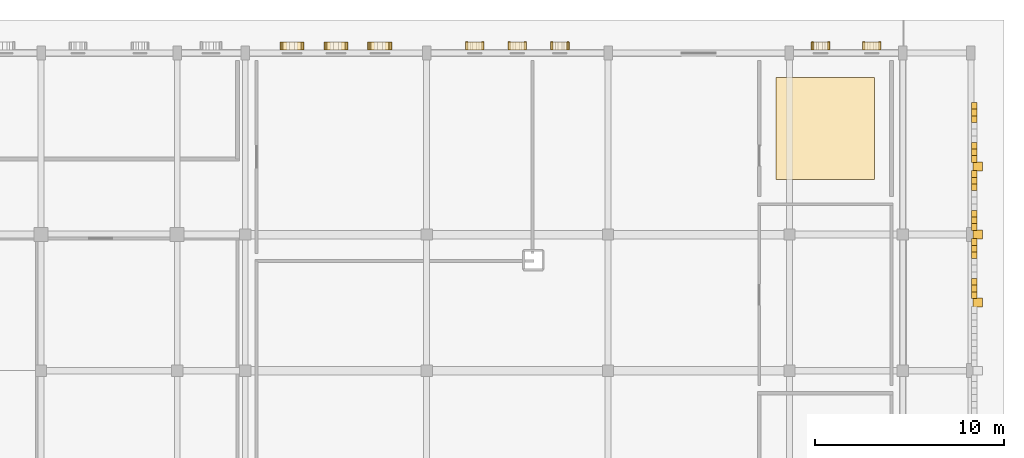
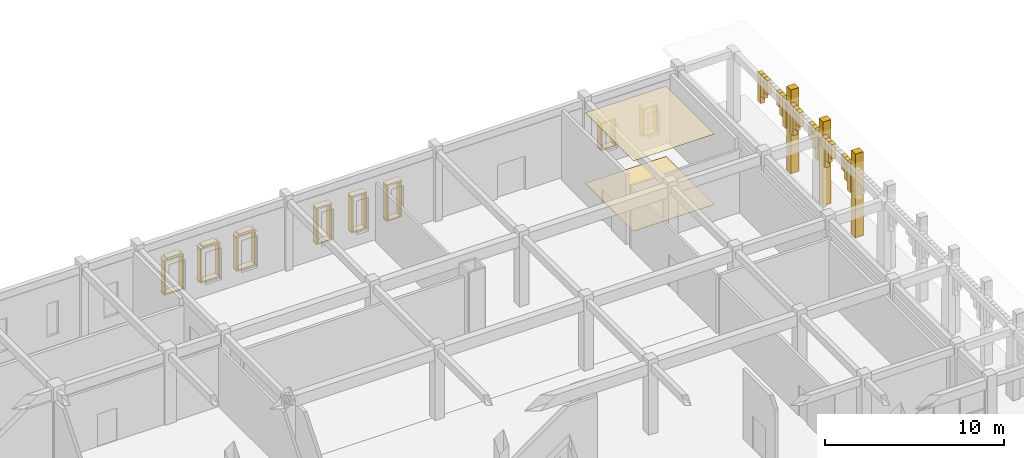
# One storey, part 63 of 72: 58 coverings.
"""IFC4 building model written with IfcOpenShell, lengths in metres."""

from ifc_helpers import new_model, si_unit, direction, frame, origin, origin_2d, place, context, subcontext, project, spatial, polyline, rectangle, outline, extrude, material, layer, layer_set, type_object, element, save


model = new_model("IFC4")

# Units and contexts
model_context = context("Model", 3, precision=1e-05, world=origin(), true_north=direction((0.0, 1.0)))
body_context = subcontext(model_context, "Body", "Model", "MODEL_VIEW")
ifc_project = project(units=[si_unit("LENGTHUNIT", "METRE"), si_unit("AREAUNIT", "SQUARE_METRE"), si_unit("VOLUMEUNIT", "CUBIC_METRE"), si_unit("PLANEANGLEUNIT", "RADIAN"), si_unit("MASSUNIT", "GRAM", prefix="KILO")], contexts=[model_context])

# Site, building, storey
site_placement = place(None, origin())
site = spatial("IfcSite", under=ifc_project, at=site_placement, CompositionType="ELEMENT")
building_placement = place(site_placement, origin())
building = spatial("IfcBuilding", under=site, at=building_placement, Name="Nzembalo Square Collegiate School", CompositionType="ELEMENT")
storey_placement = place(building_placement, origin())
storey = spatial("IfcBuildingStorey", under=building, at=storey_placement, Name="L00", CompositionType="ELEMENT", Elevation=0.0)

# Coverings
ifc_material_1 = material(Name="Precast concrete C40/50 arch voussoir", Category="concrete")
ifc_layer_1 = layer(ifc_material_1, 0.1201171875, Name="Precast concrete C40/50 arch voussoir")
ifc_layer_set_1 = layer_set([ifc_layer_1], Name="Precast concrete C40/50 arch voussoir")
covering_type_1 = type_object("IfcCoveringType", Name="AR01", PredefinedType="CLADDING", material=ifc_layer_set_1)
covering_1_placement = place(storey_placement, frame((169.3798828125, 101.195556640625, 2.808349609375), z_axis=(0.0, 0.0, 1.0), x_axis=(1.0, 0.0, 0.0)))
element("IfcCovering", 1, at=covering_1_placement, inside=storey, type_object=covering_type_1, Name="Gothic pointed arch voussoir AR01-094-0", PredefinedType="CLADDING", context=body_context, shape_type="SweptSolid", body=[
    extrude(rectangle(XDim=0.280029296875, YDim=0.35107421875, at=origin_2d()), origin(), (0.0, 0.0, 1.0), 1.99169921875),
])
covering_2_placement = place(storey_placement, frame((169.3798828125, 101.546630859375, 3.361083984375), z_axis=(0.0, 0.0, 1.0), x_axis=(1.0, 0.0, 0.0)))
element("IfcCovering", 2, at=covering_2_placement, inside=storey, type_object=covering_type_1, Name="Gothic pointed arch voussoir AR01-094-1", PredefinedType="CLADDING", context=body_context, shape_type="SweptSolid", body=[
    extrude(rectangle(XDim=0.280029296875, YDim=0.35107421875, at=origin_2d()), origin(), (0.0, 0.0, 1.0), 1.43896484375),
])
for number, where, z_axis, x_axis, name in (
    (3, (169.3798828125, 101.897705078125, 3.810546875), (0.0, 0.0, 1.0), (1.0, 0.0, 0.0), "Gothic pointed arch voussoir AR01-094-2"),
    (4, (169.3798828125, 103.302001953125, 3.810546875), (0.0, 0.0, 1.0), (1.0, 0.0, 0.0), "Gothic pointed arch voussoir AR01-094-6"),
):
    element("IfcCovering", number, at=place(storey_placement, frame(where, z_axis=z_axis, x_axis=x_axis)), inside=storey, type_object=covering_type_1, Name=name, PredefinedType="CLADDING", context=body_context, shape_type="SweptSolid", body=[
        extrude(rectangle(XDim=0.280029296875, YDim=0.35107421875, at=origin_2d()), origin(), (0.0, 0.0, 1.0), 0.989501953125),
    ])
covering_3_placement = place(storey_placement, frame((169.3798828125, 103.6533203125, 3.361328125), z_axis=(0.0, 0.0, 1.0), x_axis=(1.0, 0.0, 0.0)))
element("IfcCovering", 5, at=covering_3_placement, inside=storey, type_object=covering_type_1, Name="Gothic pointed arch voussoir AR01-094-7", PredefinedType="CLADDING", context=body_context, shape_type="SweptSolid", body=[
    extrude(rectangle(XDim=0.280029296875, YDim=0.35107421875, at=origin_2d()), origin(), (0.0, 0.0, 1.0), 1.438720703125),
])
covering_4_placement = place(storey_placement, frame((169.3798828125, 104.00439453125, 2.80859375), z_axis=(0.0, 0.0, 1.0), x_axis=(1.0, 0.0, 0.0)))
element("IfcCovering", 6, at=covering_4_placement, inside=storey, type_object=covering_type_1, Name="Gothic pointed arch voussoir AR01-094-8", PredefinedType="CLADDING", context=body_context, shape_type="SweptSolid", body=[
    extrude(rectangle(XDim=0.280029296875, YDim=0.35107421875, at=origin_2d()), origin(), (0.0, 0.0, 1.0), 1.991455078125),
])
covering_5_placement = place(storey_placement, frame((169.56005859375, 100.800048828125, 0.0), z_axis=(0.0, 0.0, 1.0), x_axis=(1.0, 0.0, 0.0)))
element("IfcCovering", 7, at=covering_5_placement, inside=storey, type_object=covering_type_1, Name="Gothic arcade buttress pinnacle AR01-B094", PredefinedType="CLADDING", context=body_context, shape_type="SweptSolid", body=[
    extrude(rectangle(XDim=0.52001953125, YDim=0.4599609375, at=origin_2d()), origin(), (0.0, 0.0, 1.0), 5.699951171875),
])
covering_6_placement = place(storey_placement, frame((169.3798828125, 104.79541015625, 2.808349609375), z_axis=(0.0, 0.0, 1.0), x_axis=(1.0, 0.0, 0.0)))
element("IfcCovering", 8, at=covering_6_placement, inside=storey, type_object=covering_type_1, Name="Gothic pointed arch voussoir AR01-095-0", PredefinedType="CLADDING", context=body_context, shape_type="SweptSolid", body=[
    extrude(rectangle(XDim=0.280029296875, YDim=0.35107421875, at=origin_2d()), origin(), (0.0, 0.0, 1.0), 1.99169921875),
])
covering_7_placement = place(storey_placement, frame((169.3798828125, 105.146484375, 3.361083984375), z_axis=(0.0, 0.0, 1.0), x_axis=(1.0, 0.0, 0.0)))
element("IfcCovering", 9, at=covering_7_placement, inside=storey, type_object=covering_type_1, Name="Gothic pointed arch voussoir AR01-095-1", PredefinedType="CLADDING", context=body_context, shape_type="SweptSolid", body=[
    extrude(rectangle(XDim=0.280029296875, YDim=0.35107421875, at=origin_2d()), origin(), (0.0, 0.0, 1.0), 1.43896484375),
])
for number, where, z_axis, x_axis, name in (
    (10, (169.3798828125, 105.497802734375, 3.810546875), (0.0, 0.0, 1.0), (1.0, 0.0, 0.0), "Gothic pointed arch voussoir AR01-095-2"),
    (11, (169.3798828125, 106.902099609375, 3.810546875), (0.0, 0.0, 1.0), (1.0, 0.0, 0.0), "Gothic pointed arch voussoir AR01-095-6"),
):
    element("IfcCovering", number, at=place(storey_placement, frame(where, z_axis=z_axis, x_axis=x_axis)), inside=storey, type_object=covering_type_1, Name=name, PredefinedType="CLADDING", context=body_context, shape_type="SweptSolid", body=[
        extrude(rectangle(XDim=0.280029296875, YDim=0.35107421875, at=origin_2d()), origin(), (0.0, 0.0, 1.0), 0.989501953125),
    ])
covering_8_placement = place(storey_placement, frame((169.3798828125, 107.253173828125, 3.361328125), z_axis=(0.0, 0.0, 1.0), x_axis=(1.0, 0.0, 0.0)))
element("IfcCovering", 12, at=covering_8_placement, inside=storey, type_object=covering_type_1, Name="Gothic pointed arch voussoir AR01-095-7", PredefinedType="CLADDING", context=body_context, shape_type="SweptSolid", body=[
    extrude(rectangle(XDim=0.280029296875, YDim=0.35107421875, at=origin_2d()), origin(), (0.0, 0.0, 1.0), 1.438720703125),
])
covering_9_placement = place(storey_placement, frame((169.3798828125, 107.604248046875, 2.80859375), z_axis=(0.0, 0.0, 1.0), x_axis=(1.0, 0.0, 0.0)))
element("IfcCovering", 13, at=covering_9_placement, inside=storey, type_object=covering_type_1, Name="Gothic pointed arch voussoir AR01-095-8", PredefinedType="CLADDING", context=body_context, shape_type="SweptSolid", body=[
    extrude(rectangle(XDim=0.280029296875, YDim=0.35107421875, at=origin_2d()), origin(), (0.0, 0.0, 1.0), 1.991455078125),
])
covering_10_placement = place(storey_placement, frame((169.56005859375, 104.39990234375, 0.0), z_axis=(0.0, 0.0, 1.0), x_axis=(1.0, 0.0, 0.0)))
element("IfcCovering", 14, at=covering_10_placement, inside=storey, type_object=covering_type_1, Name="Gothic arcade buttress pinnacle AR01-B095", PredefinedType="CLADDING", context=body_context, shape_type="SweptSolid", body=[
    extrude(rectangle(XDim=0.52001953125, YDim=0.4599609375, at=origin_2d()), origin(), (0.0, 0.0, 1.0), 5.699951171875),
])
covering_11_placement = place(storey_placement, frame((169.3798828125, 108.3955078125, 2.808349609375), z_axis=(0.0, 0.0, 1.0), x_axis=(1.0, 0.0, 0.0)))
element("IfcCovering", 15, at=covering_11_placement, inside=storey, type_object=covering_type_1, Name="Gothic pointed arch voussoir AR01-096-0", PredefinedType="CLADDING", context=body_context, shape_type="SweptSolid", body=[
    extrude(rectangle(XDim=0.280029296875, YDim=0.35107421875, at=origin_2d()), origin(), (0.0, 0.0, 1.0), 1.99169921875),
])
covering_12_placement = place(storey_placement, frame((169.3798828125, 108.74658203125, 3.361083984375), z_axis=(0.0, 0.0, 1.0), x_axis=(1.0, 0.0, 0.0)))
element("IfcCovering", 16, at=covering_12_placement, inside=storey, type_object=covering_type_1, Name="Gothic pointed arch voussoir AR01-096-1", PredefinedType="CLADDING", context=body_context, shape_type="SweptSolid", body=[
    extrude(rectangle(XDim=0.280029296875, YDim=0.35107421875, at=origin_2d()), origin(), (0.0, 0.0, 1.0), 1.43896484375),
])
for number, where, z_axis, x_axis, name in (
    (17, (169.3798828125, 109.09765625, 3.810546875), (0.0, 0.0, 1.0), (1.0, 0.0, 0.0), "Gothic pointed arch voussoir AR01-096-2"),
    (18, (169.3798828125, 110.502197265625, 3.810546875), (0.0, 0.0, 1.0), (1.0, 0.0, 0.0), "Gothic pointed arch voussoir AR01-096-6"),
):
    element("IfcCovering", number, at=place(storey_placement, frame(where, z_axis=z_axis, x_axis=x_axis)), inside=storey, type_object=covering_type_1, Name=name, PredefinedType="CLADDING", context=body_context, shape_type="SweptSolid", body=[
        extrude(rectangle(XDim=0.280029296875, YDim=0.35107421875, at=origin_2d()), origin(), (0.0, 0.0, 1.0), 0.989501953125),
    ])
covering_13_placement = place(storey_placement, frame((169.3798828125, 110.853271484375, 3.361328125), z_axis=(0.0, 0.0, 1.0), x_axis=(1.0, 0.0, 0.0)))
element("IfcCovering", 19, at=covering_13_placement, inside=storey, type_object=covering_type_1, Name="Gothic pointed arch voussoir AR01-096-7", PredefinedType="CLADDING", context=body_context, shape_type="SweptSolid", body=[
    extrude(rectangle(XDim=0.280029296875, YDim=0.35107421875, at=origin_2d()), origin(), (0.0, 0.0, 1.0), 1.438720703125),
])
covering_14_placement = place(storey_placement, frame((169.3798828125, 111.204345703125, 2.80859375), z_axis=(0.0, 0.0, 1.0), x_axis=(1.0, 0.0, 0.0)))
element("IfcCovering", 20, at=covering_14_placement, inside=storey, type_object=covering_type_1, Name="Gothic pointed arch voussoir AR01-096-8", PredefinedType="CLADDING", context=body_context, shape_type="SweptSolid", body=[
    extrude(rectangle(XDim=0.280029296875, YDim=0.35107421875, at=origin_2d()), origin(), (0.0, 0.0, 1.0), 1.991455078125),
])
covering_15_placement = place(storey_placement, frame((169.56005859375, 108.0, 0.0), z_axis=(0.0, 0.0, 1.0), x_axis=(1.0, 0.0, 0.0)))
element("IfcCovering", 21, at=covering_15_placement, inside=storey, type_object=covering_type_1, Name="Gothic arcade buttress pinnacle AR01-B096", PredefinedType="CLADDING", context=body_context, shape_type="SweptSolid", body=[
    extrude(rectangle(XDim=0.52001953125, YDim=0.4599609375, at=origin_2d()), origin(), (0.0, 0.0, 1.0), 5.699951171875),
])
ifc_material_2 = material(Name="Perforated acoustic mineral-fibre ceiling")
ifc_layer_2 = layer(ifc_material_2, 0.02490234375, Name="Perforated acoustic mineral-fibre ceiling")
ifc_layer_set_2 = layer_set([ifc_layer_2], Name="Perforated acoustic mineral-fibre ceiling")
covering_type_2 = type_object("IfcCoveringType", Name="CE01", PredefinedType="CEILING", material=ifc_layer_set_2)
covering_16_placement = place(storey_placement, frame((0.0, 0.0, 4.7900390625)))
element("IfcCovering", 22, at=covering_16_placement, inside=storey, type_object=covering_type_2, Name="Acoustic ceiling panel CE01-11", PredefinedType="CEILING", context=body_context, shape_type="SweptSolid", body=[
    extrude(outline(polyline([(158.89990234375, 107.300048828125), (164.10009765625, 107.300048828125), (164.10009765625, 112.699951171875), (158.89990234375, 112.699951171875), (158.89990234375, 107.300048828125)])), origin(), (0.0, 0.0, 1.0), 0.02490234375),
])
ifc_material_3 = material(Name="Polished stone terrazzo flooring", Category="masonry")
ifc_layer_3 = layer(ifc_material_3, 0.02001953125, Name="Polished stone terrazzo flooring")
ifc_layer_set_3 = layer_set([ifc_layer_3], Name="Polished stone terrazzo flooring")
covering_type_3 = type_object("IfcCoveringType", Name="FL01", PredefinedType="FLOORING", material=ifc_layer_set_3)
covering_17_placement = place(storey_placement, origin())
element("IfcCovering", 23, at=covering_17_placement, inside=storey, type_object=covering_type_3, Name="Terrazzo finish flooring FL01-11", PredefinedType="FLOORING", context=body_context, shape_type="SweptSolid", body=[
    extrude(outline(polyline([(158.89990234375, 107.300048828125), (164.10009765625, 107.300048828125), (164.10009765625, 112.699951171875), (158.89990234375, 112.699951171875), (158.89990234375, 107.300048828125)])), origin(), (0.0, 0.0, 1.0), 0.02001953125),
])
ifc_material_4 = material(Name="Glazed celadon ceramic window frame")
ifc_layer_4 = layer(ifc_material_4, 0.419921875, Name="Glazed celadon ceramic window frame")
ifc_layer_set_4 = layer_set([ifc_layer_4], Name="Glazed celadon ceramic window frame")
covering_type_4 = type_object("IfcCoveringType", Name="WF01", PredefinedType="CLADDING", material=ifc_layer_set_4)
covering_18_placement = place(storey_placement, frame((133.2734375, 114.375, 2.93505859375), z_axis=(0.0, 0.0, 1.0), x_axis=(1.0, 0.0, 0.0)))
element("IfcCovering", 24, at=covering_18_placement, inside=storey, type_object=covering_type_4, Name="Deep lancet window hood WF01-0143", PredefinedType="CLADDING", context=body_context, shape_type="SweptSolid", body=[
    extrude(rectangle(XDim=1.280029296875, YDim=0.419921875, at=origin_2d()), origin(), (0.0, 0.0, 1.0), 0.110107421875),
])
covering_19_placement = place(storey_placement, frame((133.2734375, 114.375, 3.0400390625), z_axis=(0.0, 0.0, 1.0), x_axis=(1.0, 0.0, 0.0)))
element("IfcCovering", 25, at=covering_19_placement, inside=storey, type_object=covering_type_4, Name="Pointed lancet gable WF01-0143-1", PredefinedType="CLADDING", context=body_context, shape_type="SweptSolid", body=[
    extrude(rectangle(XDim=0.94189453125, YDim=0.419921875, at=origin_2d()), origin(), (0.0, 0.0, 1.0), 0.1201171875),
])
covering_20_placement = place(storey_placement, frame((133.2734375, 114.375, 0.65478515625), z_axis=(0.0, 0.0, 1.0), x_axis=(1.0, 0.0, 0.0)))
element("IfcCovering", 26, at=covering_20_placement, inside=storey, type_object=covering_type_4, Name="Deep lancet window sill WF01-0143", PredefinedType="CLADDING", context=body_context, shape_type="SweptSolid", body=[
    extrude(rectangle(XDim=1.280029296875, YDim=0.419921875, at=origin_2d()), origin(), (0.0, 0.0, 1.0), 0.090087890625),
])
for number, where, z_axis, x_axis, name in (
    (27, (132.698486328125, 114.375, 0.75), (0.0, 0.0, 1.0), (1.0, 0.0, 0.0), "Deep lancet window jamb WF01-0143L"),
    (28, (133.848388671875, 114.375, 0.75), (0.0, 0.0, 1.0), (1.0, 0.0, 0.0), "Deep lancet window jamb WF01-0143R"),
):
    element("IfcCovering", number, at=place(storey_placement, frame(where, z_axis=z_axis, x_axis=x_axis)), inside=storey, type_object=covering_type_4, Name=name, PredefinedType="CLADDING", context=body_context, shape_type="SweptSolid", body=[
        extrude(rectangle(XDim=0.10009765625, YDim=0.419921875, at=origin_2d()), origin(), (0.0, 0.0, 1.0), 2.179931640625),
    ])
covering_21_placement = place(storey_placement, frame((135.60009765625, 114.375, 2.93505859375), z_axis=(0.0, 0.0, 1.0), x_axis=(1.0, 0.0, 0.0)))
element("IfcCovering", 29, at=covering_21_placement, inside=storey, type_object=covering_type_4, Name="Deep lancet window hood WF01-0144", PredefinedType="CLADDING", context=body_context, shape_type="SweptSolid", body=[
    extrude(rectangle(XDim=1.280029296875, YDim=0.419921875, at=origin_2d()), origin(), (0.0, 0.0, 1.0), 0.110107421875),
])
covering_22_placement = place(storey_placement, frame((135.60009765625, 114.375, 3.0400390625), z_axis=(0.0, 0.0, 1.0), x_axis=(1.0, 0.0, 0.0)))
element("IfcCovering", 30, at=covering_22_placement, inside=storey, type_object=covering_type_4, Name="Pointed lancet gable WF01-0144-1", PredefinedType="CLADDING", context=body_context, shape_type="SweptSolid", body=[
    extrude(rectangle(XDim=0.94189453125, YDim=0.419921875, at=origin_2d()), origin(), (0.0, 0.0, 1.0), 0.1201171875),
])
covering_23_placement = place(storey_placement, frame((135.60009765625, 114.375, 0.65478515625), z_axis=(0.0, 0.0, 1.0), x_axis=(1.0, 0.0, 0.0)))
element("IfcCovering", 31, at=covering_23_placement, inside=storey, type_object=covering_type_4, Name="Deep lancet window sill WF01-0144", PredefinedType="CLADDING", context=body_context, shape_type="SweptSolid", body=[
    extrude(rectangle(XDim=1.280029296875, YDim=0.419921875, at=origin_2d()), origin(), (0.0, 0.0, 1.0), 0.090087890625),
])
for number, where, z_axis, x_axis, name in (
    (32, (135.02490234375, 114.375, 0.75), (0.0, 0.0, 1.0), (1.0, 0.0, 0.0), "Deep lancet window jamb WF01-0144L"),
    (33, (136.175048828125, 114.375, 0.75), (0.0, 0.0, 1.0), (1.0, 0.0, 0.0), "Deep lancet window jamb WF01-0144R"),
):
    element("IfcCovering", number, at=place(storey_placement, frame(where, z_axis=z_axis, x_axis=x_axis)), inside=storey, type_object=covering_type_4, Name=name, PredefinedType="CLADDING", context=body_context, shape_type="SweptSolid", body=[
        extrude(rectangle(XDim=0.10009765625, YDim=0.419921875, at=origin_2d()), origin(), (0.0, 0.0, 1.0), 2.179931640625),
    ])
covering_24_placement = place(storey_placement, frame((137.926513671875, 114.375, 2.93505859375), z_axis=(0.0, 0.0, 1.0), x_axis=(1.0, 0.0, 0.0)))
element("IfcCovering", 34, at=covering_24_placement, inside=storey, type_object=covering_type_4, Name="Deep lancet window hood WF01-0145", PredefinedType="CLADDING", context=body_context, shape_type="SweptSolid", body=[
    extrude(rectangle(XDim=1.280029296875, YDim=0.419921875, at=origin_2d()), origin(), (0.0, 0.0, 1.0), 0.110107421875),
])
covering_25_placement = place(storey_placement, frame((137.926513671875, 114.375, 3.0400390625), z_axis=(0.0, 0.0, 1.0), x_axis=(1.0, 0.0, 0.0)))
element("IfcCovering", 35, at=covering_25_placement, inside=storey, type_object=covering_type_4, Name="Pointed lancet gable WF01-0145-1", PredefinedType="CLADDING", context=body_context, shape_type="SweptSolid", body=[
    extrude(rectangle(XDim=0.94189453125, YDim=0.419921875, at=origin_2d()), origin(), (0.0, 0.0, 1.0), 0.1201171875),
])
covering_26_placement = place(storey_placement, frame((137.926513671875, 114.375, 0.65478515625), z_axis=(0.0, 0.0, 1.0), x_axis=(1.0, 0.0, 0.0)))
element("IfcCovering", 36, at=covering_26_placement, inside=storey, type_object=covering_type_4, Name="Deep lancet window sill WF01-0145", PredefinedType="CLADDING", context=body_context, shape_type="SweptSolid", body=[
    extrude(rectangle(XDim=1.280029296875, YDim=0.419921875, at=origin_2d()), origin(), (0.0, 0.0, 1.0), 0.090087890625),
])
for number, where, z_axis, x_axis, name in (
    (37, (137.3515625, 114.375, 0.75), (0.0, 0.0, 1.0), (1.0, 0.0, 0.0), "Deep lancet window jamb WF01-0145L"),
    (38, (138.50146484375, 114.375, 0.75), (0.0, 0.0, 1.0), (1.0, 0.0, 0.0), "Deep lancet window jamb WF01-0145R"),
):
    element("IfcCovering", number, at=place(storey_placement, frame(where, z_axis=z_axis, x_axis=x_axis)), inside=storey, type_object=covering_type_4, Name=name, PredefinedType="CLADDING", context=body_context, shape_type="SweptSolid", body=[
        extrude(rectangle(XDim=0.10009765625, YDim=0.419921875, at=origin_2d()), origin(), (0.0, 0.0, 1.0), 2.179931640625),
    ])
covering_27_placement = place(storey_placement, frame((142.946044921875, 114.385009765625, 3.05517578125), z_axis=(0.0, 0.0, 1.0), x_axis=(1.0, 0.0, 0.0)))
element("IfcCovering", 39, at=covering_27_placement, inside=storey, type_object=covering_type_4, Name="Deep lancet window hood WF01-0148", PredefinedType="CLADDING", context=body_context, shape_type="SweptSolid", body=[
    extrude(rectangle(XDim=0.989990234375, YDim=0.419921875, at=origin_2d()), origin(), (0.0, 0.0, 1.0), 0.110107421875),
])
covering_28_placement = place(storey_placement, frame((142.946044921875, 114.385009765625, 0.65478515625), z_axis=(0.0, 0.0, 1.0), x_axis=(1.0, 0.0, 0.0)))
element("IfcCovering", 40, at=covering_28_placement, inside=storey, type_object=covering_type_4, Name="Deep lancet window sill WF01-0148", PredefinedType="CLADDING", context=body_context, shape_type="SweptSolid", body=[
    extrude(rectangle(XDim=0.989990234375, YDim=0.419921875, at=origin_2d()), origin(), (0.0, 0.0, 1.0), 0.090087890625),
])
for number, where, z_axis, x_axis, name in (
    (41, (142.51611328125, 114.385009765625, 0.75), (0.0, 0.0, 1.0), (1.0, 0.0, 0.0), "Deep lancet window jamb WF01-0148L"),
    (42, (143.3759765625, 114.385009765625, 0.75), (0.0, 0.0, 1.0), (1.0, 0.0, 0.0), "Deep lancet window jamb WF01-0148R"),
):
    element("IfcCovering", number, at=place(storey_placement, frame(where, z_axis=z_axis, x_axis=x_axis)), inside=storey, type_object=covering_type_4, Name=name, PredefinedType="CLADDING", context=body_context, shape_type="SweptSolid", body=[
        extrude(rectangle(XDim=0.10009765625, YDim=0.419921875, at=origin_2d()), origin(), (0.0, 0.0, 1.0), 2.300048828125),
    ])
covering_29_placement = place(storey_placement, frame((145.199951171875, 114.385009765625, 3.05517578125), z_axis=(0.0, 0.0, 1.0), x_axis=(1.0, 0.0, 0.0)))
element("IfcCovering", 43, at=covering_29_placement, inside=storey, type_object=covering_type_4, Name="Deep lancet window hood WF01-0149", PredefinedType="CLADDING", context=body_context, shape_type="SweptSolid", body=[
    extrude(rectangle(XDim=0.989990234375, YDim=0.419921875, at=origin_2d()), origin(), (0.0, 0.0, 1.0), 0.110107421875),
])
covering_30_placement = place(storey_placement, frame((145.199951171875, 114.385009765625, 0.65478515625), z_axis=(0.0, 0.0, 1.0), x_axis=(1.0, 0.0, 0.0)))
element("IfcCovering", 44, at=covering_30_placement, inside=storey, type_object=covering_type_4, Name="Deep lancet window sill WF01-0149", PredefinedType="CLADDING", context=body_context, shape_type="SweptSolid", body=[
    extrude(rectangle(XDim=0.989990234375, YDim=0.419921875, at=origin_2d()), origin(), (0.0, 0.0, 1.0), 0.090087890625),
])
for number, where, z_axis, x_axis, name in (
    (45, (144.77001953125, 114.385009765625, 0.75), (0.0, 0.0, 1.0), (1.0, 0.0, 0.0), "Deep lancet window jamb WF01-0149L"),
    (46, (145.6298828125, 114.385009765625, 0.75), (0.0, 0.0, 1.0), (1.0, 0.0, 0.0), "Deep lancet window jamb WF01-0149R"),
):
    element("IfcCovering", number, at=place(storey_placement, frame(where, z_axis=z_axis, x_axis=x_axis)), inside=storey, type_object=covering_type_4, Name=name, PredefinedType="CLADDING", context=body_context, shape_type="SweptSolid", body=[
        extrude(rectangle(XDim=0.10009765625, YDim=0.419921875, at=origin_2d()), origin(), (0.0, 0.0, 1.0), 2.300048828125),
    ])
covering_31_placement = place(storey_placement, frame((147.4541015625, 114.385009765625, 3.05517578125), z_axis=(0.0, 0.0, 1.0), x_axis=(1.0, 0.0, 0.0)))
element("IfcCovering", 47, at=covering_31_placement, inside=storey, type_object=covering_type_4, Name="Deep lancet window hood WF01-0150", PredefinedType="CLADDING", context=body_context, shape_type="SweptSolid", body=[
    extrude(rectangle(XDim=0.989990234375, YDim=0.419921875, at=origin_2d()), origin(), (0.0, 0.0, 1.0), 0.110107421875),
])
covering_32_placement = place(storey_placement, frame((147.4541015625, 114.385009765625, 0.65478515625), z_axis=(0.0, 0.0, 1.0), x_axis=(1.0, 0.0, 0.0)))
element("IfcCovering", 48, at=covering_32_placement, inside=storey, type_object=covering_type_4, Name="Deep lancet window sill WF01-0150", PredefinedType="CLADDING", context=body_context, shape_type="SweptSolid", body=[
    extrude(rectangle(XDim=0.989990234375, YDim=0.419921875, at=origin_2d()), origin(), (0.0, 0.0, 1.0), 0.090087890625),
])
for number, where, z_axis, x_axis, name in (
    (49, (147.02392578125, 114.385009765625, 0.75), (0.0, 0.0, 1.0), (1.0, 0.0, 0.0), "Deep lancet window jamb WF01-0150L"),
    (50, (147.884033203125, 114.385009765625, 0.75), (0.0, 0.0, 1.0), (1.0, 0.0, 0.0), "Deep lancet window jamb WF01-0150R"),
):
    element("IfcCovering", number, at=place(storey_placement, frame(where, z_axis=z_axis, x_axis=x_axis)), inside=storey, type_object=covering_type_4, Name=name, PredefinedType="CLADDING", context=body_context, shape_type="SweptSolid", body=[
        extrude(rectangle(XDim=0.10009765625, YDim=0.419921875, at=origin_2d()), origin(), (0.0, 0.0, 1.0), 2.300048828125),
    ])
covering_33_placement = place(storey_placement, frame((161.24609375, 114.385009765625, 2.455078125), z_axis=(0.0, 0.0, 1.0), x_axis=(1.0, 0.0, 0.0)))
element("IfcCovering", 51, at=covering_33_placement, inside=storey, type_object=covering_type_4, Name="Deep lancet window hood WF01-0151", PredefinedType="CLADDING", context=body_context, shape_type="SweptSolid", body=[
    extrude(rectangle(XDim=0.989990234375, YDim=0.419921875, at=origin_2d()), origin(), (0.0, 0.0, 1.0), 0.110107421875),
])
covering_34_placement = place(storey_placement, frame((161.24609375, 114.385009765625, 0.65478515625), z_axis=(0.0, 0.0, 1.0), x_axis=(1.0, 0.0, 0.0)))
element("IfcCovering", 52, at=covering_34_placement, inside=storey, type_object=covering_type_4, Name="Deep lancet window sill WF01-0151", PredefinedType="CLADDING", context=body_context, shape_type="SweptSolid", body=[
    extrude(rectangle(XDim=0.989990234375, YDim=0.419921875, at=origin_2d()), origin(), (0.0, 0.0, 1.0), 0.090087890625),
])
for number, where, z_axis, x_axis, name in (
    (53, (160.81591796875, 114.385009765625, 0.75), (0.0, 0.0, 1.0), (1.0, 0.0, 0.0), "Deep lancet window jamb WF01-0151L"),
    (54, (161.676025390625, 114.385009765625, 0.75), (0.0, 0.0, 1.0), (1.0, 0.0, 0.0), "Deep lancet window jamb WF01-0151R"),
):
    element("IfcCovering", number, at=place(storey_placement, frame(where, z_axis=z_axis, x_axis=x_axis)), inside=storey, type_object=covering_type_4, Name=name, PredefinedType="CLADDING", context=body_context, shape_type="SweptSolid", body=[
        extrude(rectangle(XDim=0.10009765625, YDim=0.419921875, at=origin_2d()), origin(), (0.0, 0.0, 1.0), 1.699951171875),
    ])
covering_35_placement = place(storey_placement, frame((163.9541015625, 114.385009765625, 2.455078125), z_axis=(0.0, 0.0, 1.0), x_axis=(1.0, 0.0, 0.0)))
element("IfcCovering", 55, at=covering_35_placement, inside=storey, type_object=covering_type_4, Name="Deep lancet window hood WF01-0152", PredefinedType="CLADDING", context=body_context, shape_type="SweptSolid", body=[
    extrude(rectangle(XDim=0.989990234375, YDim=0.419921875, at=origin_2d()), origin(), (0.0, 0.0, 1.0), 0.110107421875),
])
covering_36_placement = place(storey_placement, frame((163.9541015625, 114.385009765625, 0.65478515625), z_axis=(0.0, 0.0, 1.0), x_axis=(1.0, 0.0, 0.0)))
element("IfcCovering", 56, at=covering_36_placement, inside=storey, type_object=covering_type_4, Name="Deep lancet window sill WF01-0152", PredefinedType="CLADDING", context=body_context, shape_type="SweptSolid", body=[
    extrude(rectangle(XDim=0.989990234375, YDim=0.419921875, at=origin_2d()), origin(), (0.0, 0.0, 1.0), 0.090087890625),
])
for number, where, z_axis, x_axis, name in (
    (57, (163.52392578125, 114.385009765625, 0.75), (0.0, 0.0, 1.0), (1.0, 0.0, 0.0), "Deep lancet window jamb WF01-0152L"),
    (58, (164.384033203125, 114.385009765625, 0.75), (0.0, 0.0, 1.0), (1.0, 0.0, 0.0), "Deep lancet window jamb WF01-0152R"),
):
    element("IfcCovering", number, at=place(storey_placement, frame(where, z_axis=z_axis, x_axis=x_axis)), inside=storey, type_object=covering_type_4, Name=name, PredefinedType="CLADDING", context=body_context, shape_type="SweptSolid", body=[
        extrude(rectangle(XDim=0.10009765625, YDim=0.419921875, at=origin_2d()), origin(), (0.0, 0.0, 1.0), 1.699951171875),
    ])

save(model, "model.ifc")
